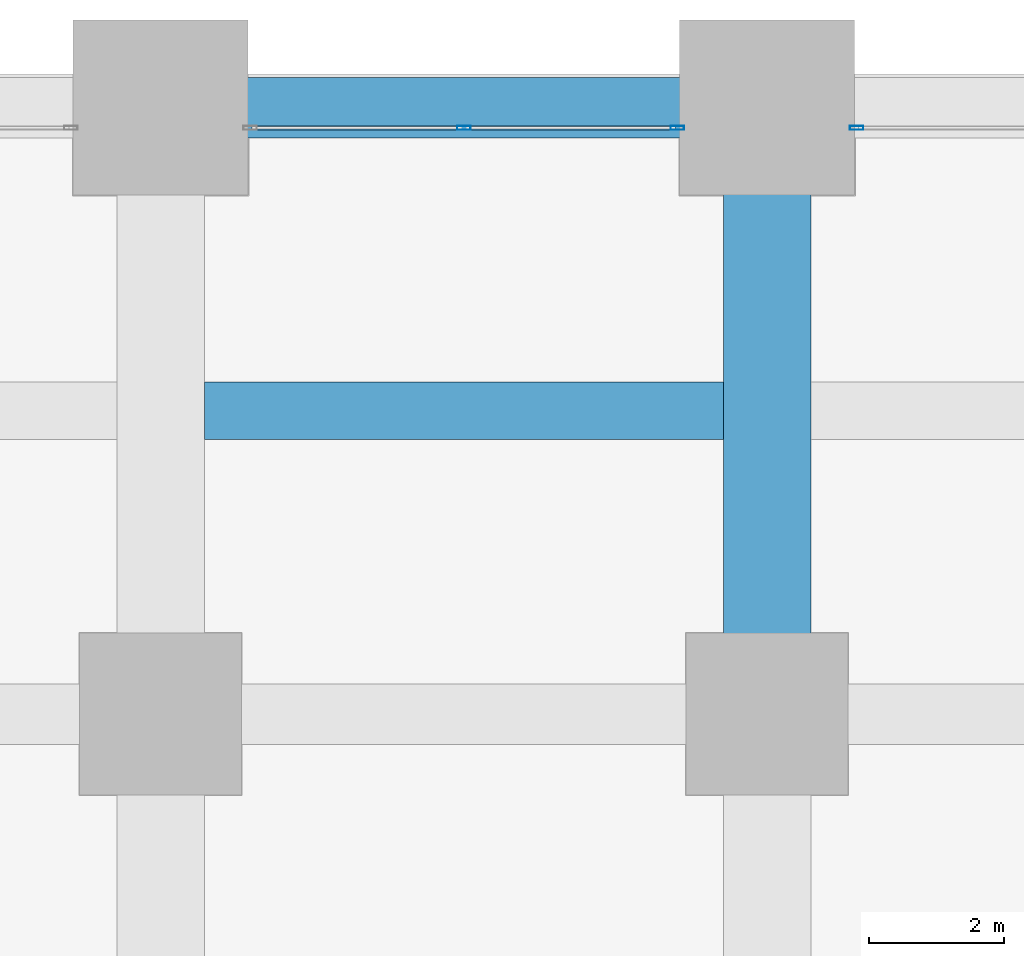
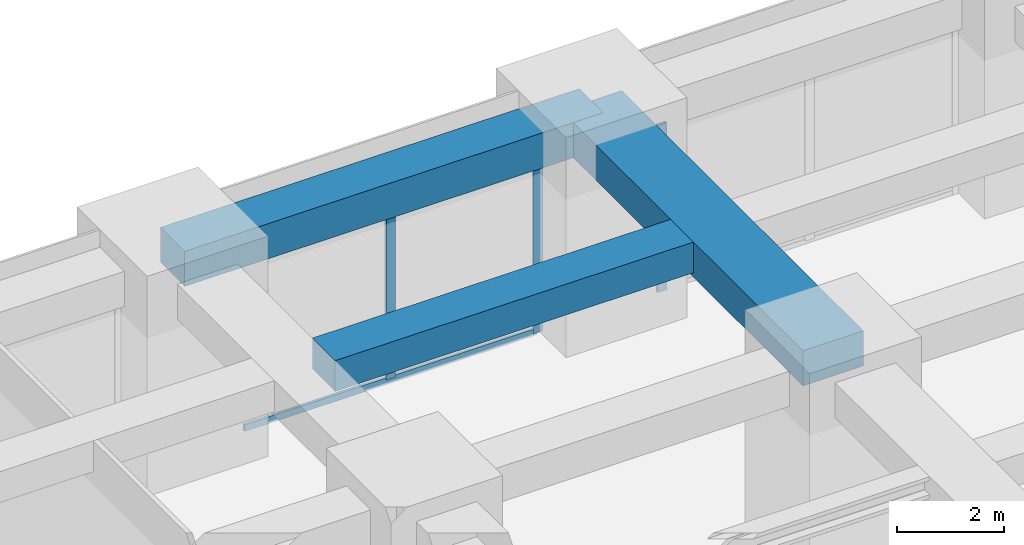
# One storey, part 28 of 46: 4 members, 3 beams, 2 elements without a shape of their own.
"""IFC4 building model written with IfcOpenShell, lengths in metres."""

from ifc_helpers import new_model, si_unit, direction, frame, origin, origin_2d, place, context, subcontext, project, spatial, rectangle, hollow_rectangle, extrude, material, material_profile, profile_set, type_object, element, aggregate, save


model = new_model("IFC4")

# Units and contexts
model_context = context("Model", 3, precision=1e-05, world=origin(), true_north=direction((0.0, 1.0)))
body_context = subcontext(model_context, "Body", "Model", "MODEL_VIEW")
ifc_project = project(units=[si_unit("LENGTHUNIT", "METRE"), si_unit("AREAUNIT", "SQUARE_METRE"), si_unit("VOLUMEUNIT", "CUBIC_METRE"), si_unit("PLANEANGLEUNIT", "RADIAN"), si_unit("MASSUNIT", "GRAM", prefix="KILO")], contexts=[model_context])

# Site, building, storey
site_placement = place(None, origin())
site = spatial("IfcSite", under=ifc_project, at=site_placement, CompositionType="ELEMENT")
building_placement = place(site_placement, origin())
building = spatial("IfcBuilding", under=site, at=building_placement, Name="Zorevar Civic Tower", CompositionType="ELEMENT")
storey_placement = place(building_placement, frame((0.0, 0.0, 10.800048828125)))
storey = spatial("IfcBuildingStorey", under=building, at=storey_placement, Name="L02", CompositionType="ELEMENT", Elevation=10.800048828125)

# Beams
ifc_material_1 = material(Name="Concrete C50/60", Category="concrete")
ifc_material_profile_1 = material_profile(ifc_material_1, rectangle(XDim=1.300048828125, YDim=0.800048828125, at=origin_2d()), Name="RC 1300x800")
ifc_profile_set_1 = profile_set([ifc_material_profile_1], Name="Concrete C50/60")
beam_type_1 = type_object("IfcBeamType", Name="Beam RC 1300x800", PredefinedType="BEAM", material=ifc_profile_set_1)
beam_1_placement = place(storey_placement, frame((45.0, 45.0, 4.199951171875), z_axis=(0.0, 1.0, 0.0), x_axis=(-1.0, 0.0, 0.0)))
element("IfcBeam", 1, at=beam_1_placement, inside=storey, type_object=beam_type_1, Name="Girder L03", PredefinedType="BEAM", context=body_context, shape_type="SweptSolid", body=[
    extrude(rectangle(XDim=1.300048828125, YDim=0.800048828125, at=origin_2d()), origin(), (0.0, 0.0, 1.0), 9.0),
])
ifc_material_2 = material(Name="Concrete C50/60", Category="concrete")
ifc_material_profile_2 = material_profile(ifc_material_2, rectangle(XDim=0.85009765625, YDim=0.699951171875, at=origin_2d()), Name="RC 850x700")
ifc_profile_set_2 = profile_set([ifc_material_profile_2], Name="Concrete C50/60")
beam_type_2 = type_object("IfcBeamType", Name="Beam RC 850x700", PredefinedType="BEAM", material=ifc_profile_set_2)
beam_2_placement = place(storey_placement, frame((36.64990234375, 49.5, 4.25), z_axis=(1.0, 0.0, 0.0), x_axis=(0.0, 1.0, 0.0)))
element("IfcBeam", 2, at=beam_2_placement, inside=storey, type_object=beam_type_2, Name="Secondary beam L03", PredefinedType="BEAM", context=body_context, shape_type="SweptSolid", body=[
    extrude(rectangle(XDim=0.85009765625, YDim=0.699951171875, at=origin_2d()), origin(), (0.0, 0.0, 1.0), 7.7001953125),
])

# Curtain wall, members
ifc_material_3 = material(Name="Dark grey solar-control glass in black aluminium frame", Category="aluminium")
curtain_wall_type = type_object("IfcCurtainWallType", Name="Curtain wall CW1 podium", PredefinedType="NOTDEFINED", material=ifc_material_3)
curtain_wall_1_placement = place(storey_placement, origin())
curtain_wall_1 = element("IfcCurtainWall", 3, at=curtain_wall_1_placement, inside=storey, type_object=curtain_wall_type, Name="CW1 L02", PredefinedType="NOTDEFINED")
ifc_material_4 = material(Name="Aluminium, black anodised", Category="aluminium")
ifc_material_profile_3 = material_profile(ifc_material_4, hollow_rectangle(XDim=0.06005859375, YDim=0.199951171875, WallThickness=0.00390625, at=origin_2d()), Name="AL 200x60x4")
ifc_profile_set_3 = profile_set([ifc_material_profile_3], Name="Aluminium, black anodised")
member_type_1 = type_object("IfcMemberType", Name="CW1 mullion AL 200x60x4", PredefinedType="MULLION", material=ifc_profile_set_3)
member_1_placement = place(storey_placement, frame((40.5, 53.699951171875, 0.06005859375), z_axis=(0.0, 0.0, 1.0), x_axis=(0.0, 1.0, 0.0)))
member_1 = element("IfcMember", 4, at=member_1_placement, type_object=member_type_1, Name="CW1 mullion 2", PredefinedType="MULLION", context=body_context, shape_type="SweptSolid", body=[
    extrude(hollow_rectangle(XDim=0.06005859375, YDim=0.199951171875, WallThickness=0.00390625, at=origin_2d()), origin(), (0.0, 0.0, 1.0), 3.739990234375),
])
member_2_placement = place(storey_placement, frame((43.669921875, 53.699951171875, 0.0), z_axis=(0.0, 0.0, 1.0), x_axis=(0.0, 1.0, 0.0)))
member_2 = element("IfcMember", 5, at=member_2_placement, type_object=member_type_1, Name="CW1 mullion 3", PredefinedType="MULLION", context=body_context, shape_type="SweptSolid", body=[
    extrude(hollow_rectangle(XDim=0.06005859375, YDim=0.199951171875, WallThickness=0.00390625, at=origin_2d()), origin(), (0.0, 0.0, 1.0), 3.800048828125),
])

# Curtain wall, member
curtain_wall_2_placement = place(storey_placement, origin())
curtain_wall_2 = element("IfcCurtainWall", 6, at=curtain_wall_2_placement, inside=storey, type_object=curtain_wall_type, Name="CW1 L02", PredefinedType="NOTDEFINED")
member_3_placement = place(storey_placement, frame((46.330078125, 53.699951171875, 0.0), z_axis=(0.0, 0.0, 1.0), x_axis=(0.0, 1.0, 0.0)))
member_3 = element("IfcMember", 7, at=member_3_placement, type_object=member_type_1, Name="CW1 mullion 1", PredefinedType="MULLION", context=body_context, shape_type="SweptSolid", body=[
    extrude(hollow_rectangle(XDim=0.06005859375, YDim=0.199951171875, WallThickness=0.00390625, at=origin_2d()), origin(), (0.0, 0.0, 1.0), 3.800048828125),
])
aggregate(curtain_wall_2, [member_3])

# Member
ifc_material_5 = material(Name="Aluminium, black anodised", Category="aluminium")
ifc_material_profile_4 = material_profile(ifc_material_5, hollow_rectangle(XDim=0.06005859375, YDim=0.14990234375, WallThickness=0.00390625, at=origin_2d()), Name="AL 150x60x4")
ifc_profile_set_4 = profile_set([ifc_material_profile_4], Name="Aluminium, black anodised")
member_type_2 = type_object("IfcMemberType", Name="CW1 transom AL 150x60x4", PredefinedType="USERDEFINED", material=ifc_profile_set_4)
member_4_placement = place(storey_placement, frame((37.360107421875, 53.699951171875, 0.030029296875), z_axis=(1.0, 0.0, 0.0), x_axis=(0.0, 1.0, 0.0)))
member_4 = element("IfcMember", 8, at=member_4_placement, type_object=member_type_2, Name="CW1 sill transom", ObjectType="TRANSOM", PredefinedType="USERDEFINED", context=body_context, shape_type="SweptSolid", body=[
    extrude(hollow_rectangle(XDim=0.06005859375, YDim=0.14990234375, WallThickness=0.00390625, at=origin_2d()), origin(), (0.0, 0.0, 1.0), 6.27978515625),
])

aggregate(curtain_wall_1, [member_1, member_2, member_4])

# Beam
ifc_material_6 = material(Name="Concrete C50/60", Category="concrete")
ifc_material_profile_5 = material_profile(ifc_material_6, rectangle(XDim=0.89990234375, YDim=0.800048828125, at=origin_2d()), Name="RC 900x800")
ifc_profile_set_5 = profile_set([ifc_material_profile_5], Name="Concrete C50/60")
beam_type_3 = type_object("IfcBeamType", Name="Edge beam RC 900x800", PredefinedType="SPANDREL", material=ifc_profile_set_5)
beam_3_placement = place(storey_placement, frame((36.0, 54.0, 4.199951171875), z_axis=(1.0, 0.0, 0.0), x_axis=(0.0, 1.0, 0.0)))
element("IfcBeam", 9, at=beam_3_placement, inside=storey, type_object=beam_type_3, Name="Edge beam L03", PredefinedType="SPANDREL", context=body_context, shape_type="SweptSolid", body=[
    extrude(rectangle(XDim=0.89990234375, YDim=0.800048828125, at=origin_2d()), origin(), (0.0, 0.0, 1.0), 9.0),
])

save(model, "model.ifc")
